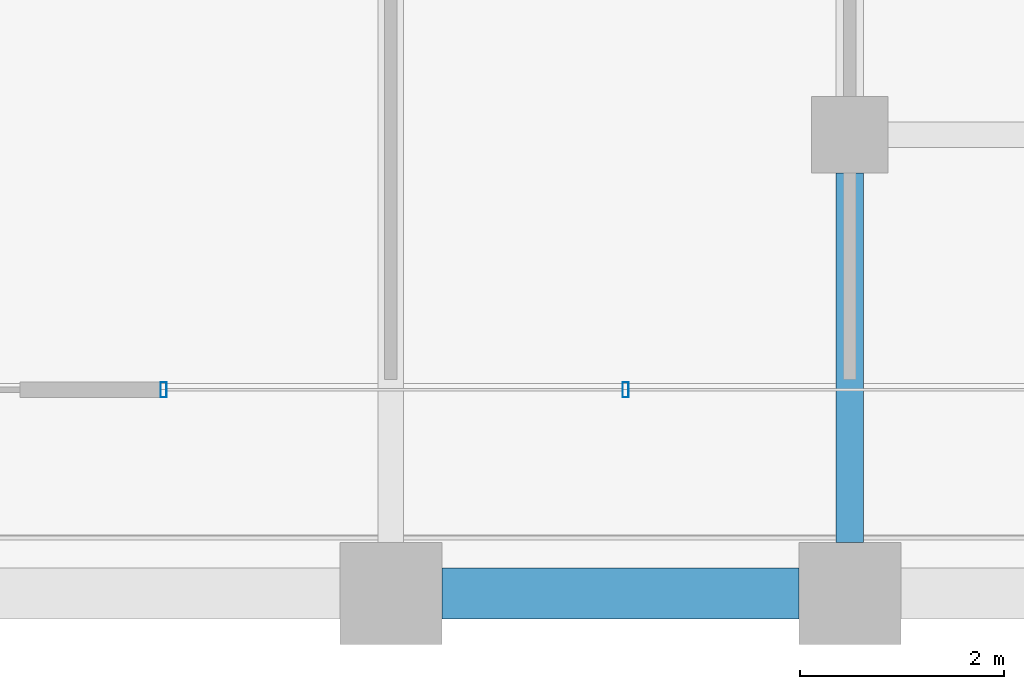
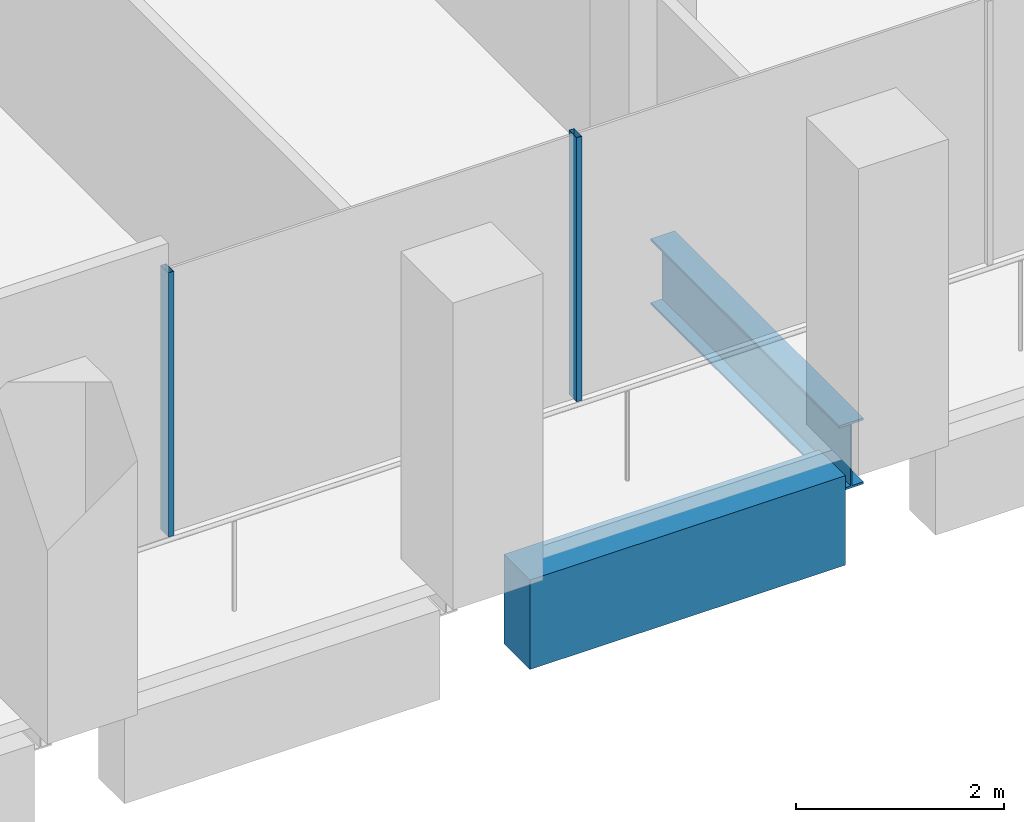
# One storey, part 9 of 46: 2 beams, 2 members, 1 element without a shape of its own.
"""IFC4 building model written with IfcOpenShell, lengths in metres."""

import ifcopenshell
import ifcopenshell.guid

model = None  # the IFC model being written
_history = None  # IfcOwnerHistory: only IFC2X3 demands one
_inside = {}  # id of a spatial element -> (the spatial element, [elements in it])
_under = {}  # id of a project, library or spatial element -> (it, [spatial elements below it])
_declared = {}  # id of a project -> (the project, [libraries it declares])
_typed = {}  # id of a type object -> (the type object, [elements of that type])
_made_of = {}  # id of a material, layer set ... -> (it, [elements and type objects made of it])


def new_model(schema):
    """Start an empty IFC model of exactly this schema.

    Asked for "IFC4X3", IfcOpenShell would pick the latest addendum, in which some entities
    have other attributes; the version numbers below select the first issue.
    IFC2X3 requires an IfcOwnerHistory on every rooted entity: one is made here for all.
    """
    global model, _history
    if schema == "IFC4X3":
        model = ifcopenshell.file(schema_version=(4, 3, 0, 0))
    else:
        model = ifcopenshell.file(schema=schema)
    _inside.clear()
    _under.clear()
    _declared.clear()
    _typed.clear()
    _made_of.clear()
    _history = None
    if model.schema == "IFC2X3":
        org = make("IfcOrganization", Name="unknown")
        user = make(
            "IfcPersonAndOrganization",
            ThePerson=make("IfcPerson", FamilyName="unknown"),
            TheOrganization=org,
        )
        app = make(
            "IfcApplication",
            ApplicationDeveloper=org,
            Version="unknown",
            ApplicationFullName="unknown",
            ApplicationIdentifier="unknown",
        )
        _history = make(
            "IfcOwnerHistory",
            OwningUser=user,
            OwningApplication=app,
            ChangeAction="ADDED",
            CreationDate=0,
        )
    return model


def make(cls, **values):
    """One entity of the class cls with the attributes given. An attribute that is None is left unset."""
    return model.create_entity(
        cls, **{name: value for name, value in values.items() if value is not None}
    )


def rooted(cls, **values):
    """An entity with a GlobalId (a new one), such as an element, a storey or a relation."""
    return make(cls, GlobalId=ifcopenshell.guid.new(), OwnerHistory=_history, **values)


def si_unit(unit_type, name, prefix=None):
    """IfcSIUnit, for example si_unit("LENGTHUNIT", "METRE", prefix="MILLI")."""
    return make("IfcSIUnit", UnitType=unit_type, Prefix=prefix, Name=name)


def assignment(units):
    """IfcUnitAssignment: the units of a project."""
    return None if units is None else make("IfcUnitAssignment", Units=units)


def point(xyz):
    """IfcCartesianPoint."""
    return None if xyz is None else make("IfcCartesianPoint", Coordinates=xyz)


def direction(xyz):
    """IfcDirection."""
    return None if xyz is None else make("IfcDirection", DirectionRatios=xyz)


def frame(location, z_axis=None, x_axis=None):
    """IfcAxis2Placement3D, a coordinate frame: its origin and axes. An axis left out is left unset."""
    return make(
        "IfcAxis2Placement3D",
        Location=point(location),
        Axis=direction(z_axis),
        RefDirection=direction(x_axis),
    )


def frame_2d(location, x_axis=None):
    """IfcAxis2Placement2D, a coordinate frame in the plane: its origin and x axis."""
    return make(
        "IfcAxis2Placement2D", Location=point(location), RefDirection=direction(x_axis)
    )


def origin():
    """The frame at (0, 0, 0) with its axes left unset."""
    return frame((0.0, 0.0, 0.0))


def origin_2d():
    """The frame at (0, 0) in the plane with its x axis left unset."""
    return frame_2d((0.0, 0.0))


def place(relative_to, where):
    """IfcLocalPlacement: puts the frame where relative to a parent placement (None: the world)."""
    return make(
        "IfcLocalPlacement", PlacementRelTo=relative_to, RelativePlacement=where
    )


def context(
    kind, dimensions, precision=None, world=None, true_north=None, identifier=None
):
    """IfcGeometricRepresentationContext, for example the 3D "Model" context."""
    return make(
        "IfcGeometricRepresentationContext",
        ContextIdentifier=identifier,
        ContextType=kind,
        CoordinateSpaceDimension=dimensions,
        Precision=precision,
        WorldCoordinateSystem=world,
        TrueNorth=true_north,
    )


def subcontext(parent, identifier, kind, view, scale=None):
    """IfcGeometricRepresentationSubContext, for example "Body" below "Model"."""
    return make(
        "IfcGeometricRepresentationSubContext",
        ContextIdentifier=identifier,
        ContextType=kind,
        ParentContext=parent,
        TargetScale=scale,
        TargetView=view,
    )


def project(units=None, contexts=None):
    """IfcProject with its units and contexts."""
    return rooted(
        "IfcProject",
        Name="project",
        RepresentationContexts=contexts,
        UnitsInContext=assignment(units),
    )


def spatial(cls, under=None, at=None, **own):
    """A site, building, storey or space (cls), placed at a placement, below another one or the project."""
    s = rooted(cls, ObjectPlacement=at, **own)
    if under is not None:
        _under.setdefault(under.id(), (under, []))[1].append(s)
    return s


def profile(cls, at=None, kind="AREA", **sizes):
    """A parametric profile (cls). Its sizes go by their IFC names, for example OverallWidth=200.0."""
    return make(cls, ProfileType=kind, Position=at, **sizes)


def rectangle(**sizes):
    """IfcRectangleProfileDef."""
    return profile("IfcRectangleProfileDef", **sizes)


def hollow_rectangle(**sizes):
    """IfcRectangleHollowProfileDef."""
    return profile("IfcRectangleHollowProfileDef", **sizes)


def i_section(**sizes):
    """IfcIShapeProfileDef."""
    return profile("IfcIShapeProfileDef", **sizes)


def extrude(swept, where, along, depth):
    """IfcExtrudedAreaSolid: the profile swept, set in the frame where, extruded along a direction by depth."""
    return make(
        "IfcExtrudedAreaSolid",
        SweptArea=swept,
        Position=where,
        ExtrudedDirection=direction(along),
        Depth=depth,
    )


def shape(context_of_items, identifier, shape_type, items):
    """IfcShapeRepresentation: the items that make up one representation, for example the "Body"."""
    return make(
        "IfcShapeRepresentation",
        ContextOfItems=context_of_items,
        RepresentationIdentifier=identifier,
        RepresentationType=shape_type,
        Items=items,
    )


def material(Name=None, Category=None):
    """IfcMaterial."""
    return make("IfcMaterial", Name=Name, Category=Category)


def material_profile(
    of_material, cross_section, Name=None, Category=None, Priority=None
):
    """IfcMaterialProfile: a cross section and its material."""
    return make(
        "IfcMaterialProfile",
        Name=Name,
        Material=of_material,
        Profile=cross_section,
        Priority=Priority,
        Category=Category,
    )


def profile_set(profiles, Name=None, composite=None):
    """IfcMaterialProfileSet."""
    return make(
        "IfcMaterialProfileSet",
        Name=Name,
        MaterialProfiles=profiles,
        CompositeProfile=composite,
    )


def made_of(thing, what):
    """Note that an element or type object is made of a material, layer set ...; save() writes the relation."""
    if what is not None:
        _made_of.setdefault(what.id(), (what, []))[1].append(thing)
    return thing


def type_object(cls, material=None, **own):
    """A type object (cls), such as IfcWallType, which elements share."""
    return made_of(rooted(cls, **own), material)


def element(
    cls,
    number,
    at=None,
    inside=None,
    cuts=None,
    type_object=None,
    material=None,
    context=None,
    identifier="Body",
    shape_type=None,
    held_by="IfcProductDefinitionShape",
    body=None,
    shapes=None,
    **own,
):
    """One element of the class cls, such as IfcWall. Its Tag is "e" and its number.

    at: its placement. inside: the storey or other place that contains it. cuts: it is an
    opening in that element (IfcRelVoidsElement). A single representation is given by context,
    identifier, shape_type and body (its items); several are given by shapes. held_by: the class
    of the entity that holds the representations. save() writes the other relations.
    """
    e = rooted(cls, Tag="e%d" % number, ObjectPlacement=at, **own)
    if body is not None:
        shapes = [shape(context, identifier, shape_type, body)]
    if shapes is not None:
        e.Representation = make(held_by, Representations=shapes)
    if inside is not None:
        _inside.setdefault(inside.id(), (inside, []))[1].append(e)
    if cuts is not None:
        rooted(
            "IfcRelVoidsElement", RelatingBuildingElement=cuts, RelatedOpeningElement=e
        )
    if type_object is not None:
        _typed.setdefault(type_object.id(), (type_object, []))[1].append(e)
    return made_of(e, material)


def aggregate(whole, parts):
    """IfcRelAggregates: a whole, such as a stair, and the parts it consists of."""
    return rooted("IfcRelAggregates", RelatingObject=whole, RelatedObjects=parts)


def save(model, path):
    """Write the relations noted so far, then the file.

    IfcRelAggregates (storeys below a building ...), IfcRelContainedInSpatialStructure (elements
    in a storey), IfcRelDefinesByType, IfcRelAssociatesMaterial and IfcRelDeclares: one each for
    every whole, place, type object, material and project.
    """
    for whole, parts in _under.values():
        aggregate(whole, parts)
    for where, things in _inside.values():
        rooted(
            "IfcRelContainedInSpatialStructure",
            RelatedElements=things,
            RelatingStructure=where,
        )
    for kind, things in _typed.values():
        rooted("IfcRelDefinesByType", RelatedObjects=things, RelatingType=kind)
    for what, things in _made_of.values():
        rooted("IfcRelAssociatesMaterial", RelatedObjects=things, RelatingMaterial=what)
    for by, libraries in _declared.values():
        rooted("IfcRelDeclares", RelatingContext=by, RelatedDefinitions=libraries)
    model.write(path)


model = new_model("IFC4")

# Units and contexts
model_context = context("Model", 3, precision=1e-05, world=origin(), true_north=direction((0.0, 1.0)))
body_context = subcontext(model_context, "Body", "Model", "MODEL_VIEW")
ifc_project = project(units=[si_unit("LENGTHUNIT", "METRE"), si_unit("AREAUNIT", "SQUARE_METRE"), si_unit("VOLUMEUNIT", "CUBIC_METRE"), si_unit("PLANEANGLEUNIT", "RADIAN"), si_unit("MASSUNIT", "GRAM", prefix="KILO")], contexts=[model_context])

# Site, building, storey
site_placement = place(None, origin())
site = spatial("IfcSite", under=ifc_project, at=site_placement, CompositionType="ELEMENT")
building_placement = place(site_placement, origin())
building = spatial("IfcBuilding", under=site, at=building_placement, Name="Altepetl Exchange Towers", CompositionType="ELEMENT")
storey_placement = place(building_placement, frame((0.0, 0.0, 106.39990234375)))
storey = spatial("IfcBuildingStorey", under=building, at=storey_placement, Name="L26", CompositionType="ELEMENT", Elevation=106.39990234375)

# Beam
ifc_material_1 = material(Name="Steel S355", Category="steel")
ifc_material_profile_1 = material_profile(ifc_material_1, i_section(OverallWidth=0.26806640625, OverallDepth=0.77392578125, WebThickness=0.015380859375, FlangeThickness=0.025390625, at=origin_2d()), Name="W30X132")
ifc_profile_set_1 = profile_set([ifc_material_profile_1], Name="Steel S355")
beam_type_1 = type_object("IfcBeamType", Name="Girder W30X132", PredefinedType="BEAM", material=ifc_profile_set_1)
beam_1_placement = place(storey_placement, frame((58.5, 31.125, -0.536865234375), z_axis=(0.0, -1.0, 0.0), x_axis=(1.0, 0.0, 0.0)))
element("IfcBeam", 1, at=beam_1_placement, inside=storey, type_object=beam_type_1, Name="gd:A:L26:005", PredefinedType="BEAM", context=body_context, shape_type="SweptSolid", body=[
    extrude(i_section(OverallWidth=0.26806640625, OverallDepth=0.77392578125, WebThickness=0.015380859375, FlangeThickness=0.025390625, at=origin_2d()), origin(), (0.0, 0.0, 1.0), 3.625),
])

# Curtain wall, members
ifc_material_2 = material(Name="Aluminium 6063-T6 glazing", Category="aluminium")
curtain_wall_type = type_object("IfcCurtainWallType", Name="Loggia glazing system", PredefinedType="NOTDEFINED", material=ifc_material_2)
curtain_wall_placement = place(storey_placement, origin())
curtain_wall = element("IfcCurtainWall", 2, at=curtain_wall_placement, inside=storey, type_object=curtain_wall_type, Name="CW1 run", PredefinedType="NOTDEFINED")
ifc_material_3 = material(Name="Aluminium 6063-T6", Category="aluminium")
ifc_material_profile_2 = material_profile(ifc_material_3, hollow_rectangle(XDim=0.06005859375, YDim=0.14990234375, WallThickness=0.0029296875, at=origin_2d()), Name="Mullion 60x150 aluminium")
ifc_profile_set_2 = profile_set([ifc_material_profile_2], Name="Aluminium 6063-T6")
member_type = type_object("IfcMemberType", Name="Mullion 60x150 aluminium", PredefinedType="MULLION", material=ifc_profile_set_2)
member_1_placement = place(storey_placement, frame((51.77294921875, 29.0, 0.0)))
member_1 = element("IfcMember", 3, at=member_1_placement, type_object=member_type, Name="MU1 mullion", PredefinedType="MULLION", context=body_context, shape_type="SweptSolid", body=[
    extrude(hollow_rectangle(XDim=0.06005859375, YDim=0.14990234375, WallThickness=0.0029296875, at=origin_2d()), origin(), (0.0, 0.0, 1.0), 3.10009765625),
])
member_2_placement = place(storey_placement, frame((56.303466796875, 29.0, 0.0)))
member_2 = element("IfcMember", 4, at=member_2_placement, type_object=member_type, Name="MU1 mullion", PredefinedType="MULLION", context=body_context, shape_type="SweptSolid", body=[
    extrude(hollow_rectangle(XDim=0.06005859375, YDim=0.14990234375, WallThickness=0.0029296875, at=origin_2d()), origin(), (0.0, 0.0, 1.0), 3.10009765625),
])
aggregate(curtain_wall, [member_1, member_2])

# Beam
ifc_material_4 = material(Name="Concrete C50/60 precast with cantera blanca facing", Category="concrete")
ifc_material_profile_3 = material_profile(ifc_material_4, rectangle(XDim=0.5, YDim=1.050048828125, at=origin_2d()), Name="500 x 1050")
ifc_profile_set_3 = profile_set([ifc_material_profile_3], Name="Concrete C50/60 precast with cantera blanca facing")
beam_type_2 = type_object("IfcBeamType", Name="Spandrel beam 500x1050 cantera blanca", PredefinedType="SPANDREL", material=ifc_profile_set_3)
beam_2_placement = place(storey_placement, frame((54.5, 27.0, -0.6748046875), z_axis=(1.0, 0.0, 0.0), x_axis=(0.0, 1.0, 0.0)))
element("IfcBeam", 5, at=beam_2_placement, inside=storey, type_object=beam_type_2, Name="sp:A:L26:005", PredefinedType="SPANDREL", context=body_context, shape_type="SweptSolid", body=[
    extrude(rectangle(XDim=0.5, YDim=1.050048828125, at=origin_2d()), origin(), (0.0, 0.0, 1.0), 3.5),
])

save(model, "model.ifc")
